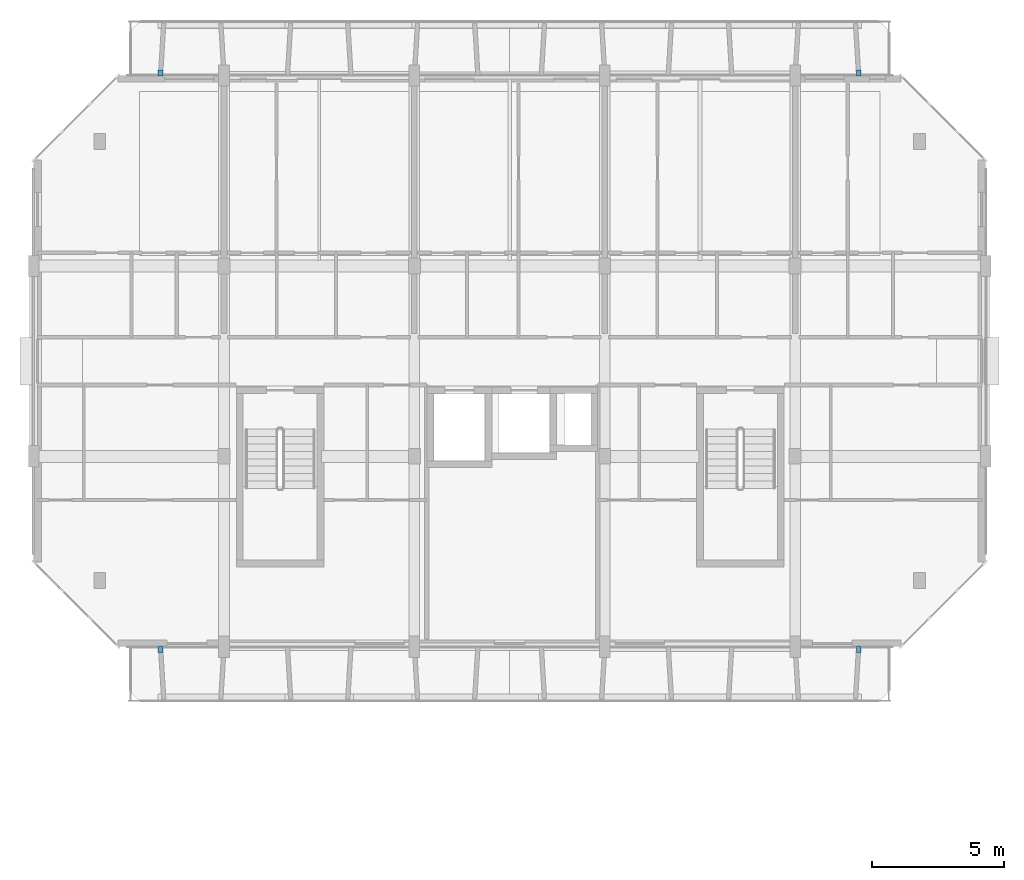
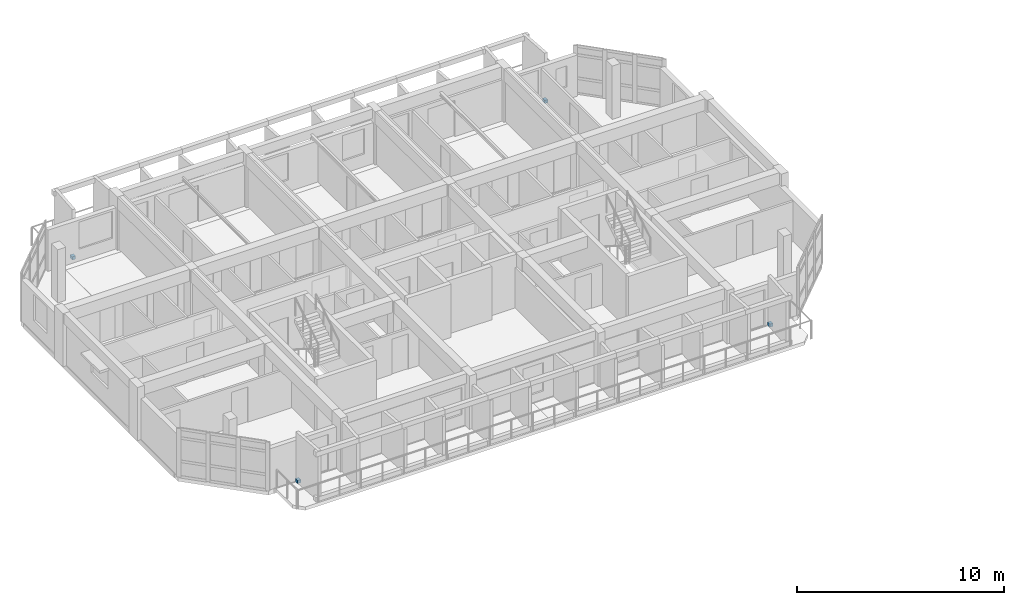
# One storey, part 30 of 40: 4 discrete accessories.
"""IFC4 building model written with IfcOpenShell, lengths in metres."""

from ifc_helpers import new_model, si_unit, direction, frame, origin, origin_2d, place, context, subcontext, project, spatial, rectangle, extrude, material, type_object, element, save


model = new_model("IFC4")

# Units and contexts
model_context = context("Model", 3, precision=1e-05, world=origin(), true_north=direction((0.0, 1.0)))
body_context = subcontext(model_context, "Body", "Model", "MODEL_VIEW")
ifc_project = project(units=[si_unit("LENGTHUNIT", "METRE"), si_unit("AREAUNIT", "SQUARE_METRE"), si_unit("VOLUMEUNIT", "CUBIC_METRE"), si_unit("PLANEANGLEUNIT", "RADIAN"), si_unit("MASSUNIT", "GRAM", prefix="KILO")], contexts=[model_context])

# Site, building, storey
site_placement = place(None, origin())
site = spatial("IfcSite", under=ifc_project, at=site_placement, CompositionType="ELEMENT")
building_placement = place(site_placement, origin())
building = spatial("IfcBuilding", under=site, at=building_placement, Name="Ochrevale Crest", CompositionType="ELEMENT")
storey_placement = place(building_placement, frame((0.0, 0.0, 27.60009765625)))
storey = spatial("IfcBuildingStorey", under=building, at=storey_placement, Name="L08", CompositionType="ELEMENT", Elevation=27.60009765625)

# Discrete accessories
ifc_material = material(Name="Galvanised steel", Category="steel")
discrete_accessory_type = type_object("IfcDiscreteAccessoryType", Name="ACC-BRK-HC", PredefinedType="BRACKET", material=ifc_material)
for number, where, z_axis, x_axis, name in (
    (1, (4.800048828125, 71.89990234375, 0.0), (0.0, 0.0, 1.0), (1.0, 0.0, 0.0), "Block B L08 precast loggia corbel bracket"),
    (2, (31.199951171875, 71.89990234375, 0.0), (0.0, 0.0, 1.0), (1.0, 0.0, 0.0), "Block B L08 precast loggia corbel bracket"),
    (3, (4.800048828125, 93.699951171875, 0.0), (0.0, 0.0, 1.0), (1.0, 0.0, 0.0), "Block B L08 precast loggia corbel bracket"),
    (4, (31.199951171875, 93.699951171875, 0.0), (0.0, 0.0, 1.0), (1.0, 0.0, 0.0), "Block B L08 precast loggia corbel bracket"),
):
    element("IfcDiscreteAccessory", number, at=place(storey_placement, frame(where, z_axis=z_axis, x_axis=x_axis)), inside=storey, type_object=discrete_accessory_type, Name=name, PredefinedType="BRACKET", context=body_context, shape_type="SweptSolid", body=[
        extrude(rectangle(XDim=0.179931640625, YDim=0.219970703125, at=origin_2d()), origin(), (0.0, 0.0, 1.0), 0.179931640625),
    ])

save(model, "model.ifc")
